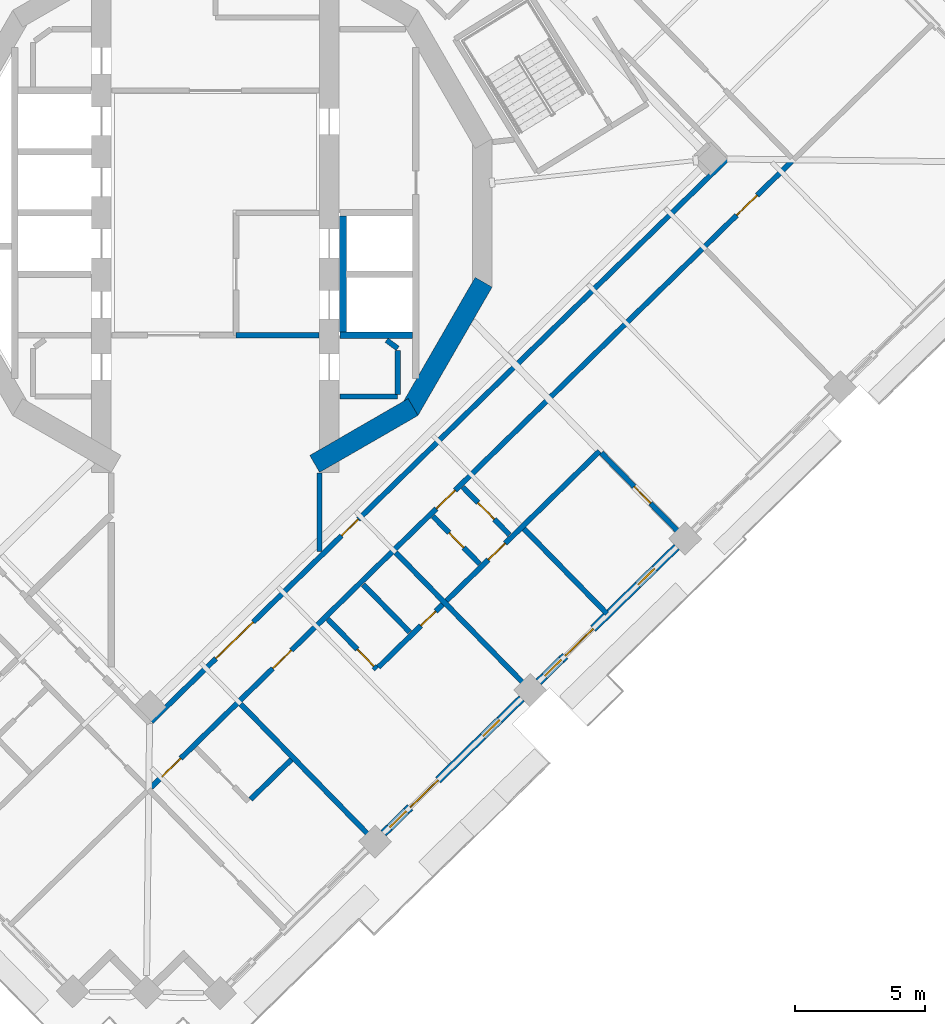
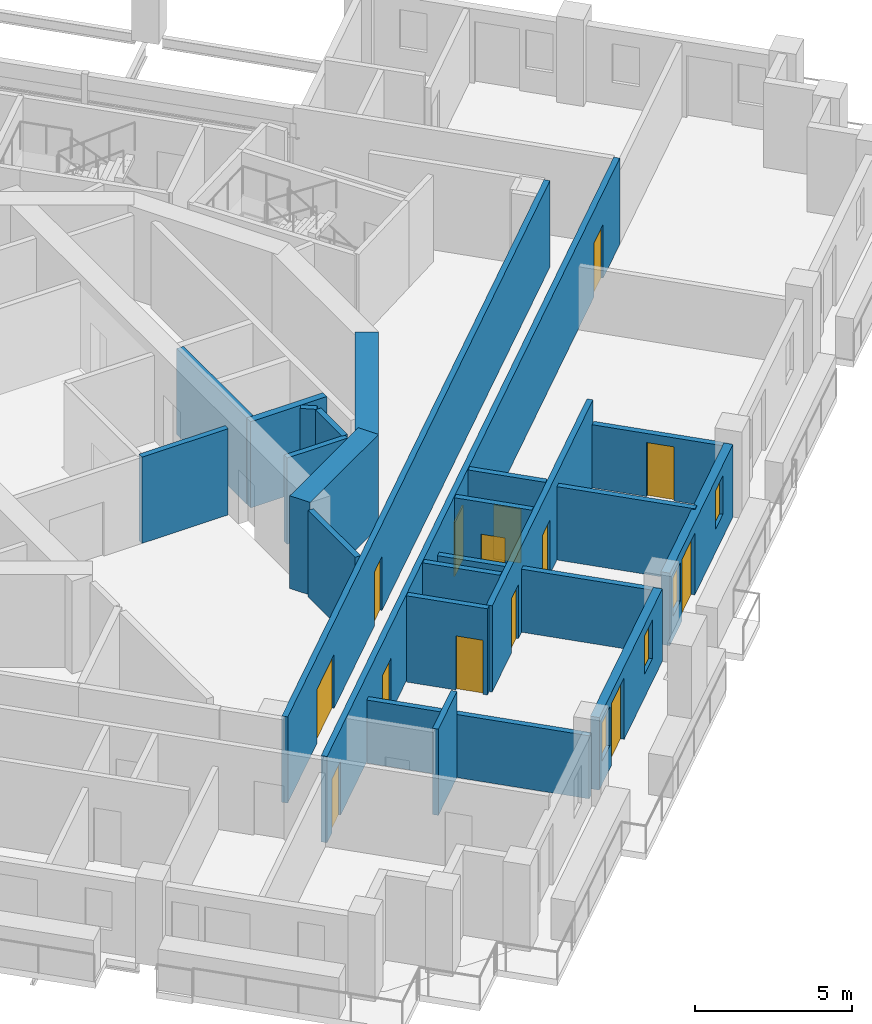
# One storey, part 9 of 20: 23 walls, 14 doors, 4 windows, 18 openings.
"""IFC4 building model written with IfcOpenShell, lengths in metres."""

from ifc_helpers import new_model, si_unit, direction, frame, frame_2d, origin, place, context, subcontext, project, spatial, rectangle, extrude, material, layer, layer_set, type_object, element, fill, save


model = new_model("IFC4")

# Units and contexts
model_context = context("Model", 3, precision=1e-05, world=origin(), true_north=direction((0.0, 1.0)))
body_context = subcontext(model_context, "Body", "Model", "MODEL_VIEW")
ifc_project = project(units=[si_unit("LENGTHUNIT", "METRE"), si_unit("AREAUNIT", "SQUARE_METRE"), si_unit("VOLUMEUNIT", "CUBIC_METRE"), si_unit("PLANEANGLEUNIT", "RADIAN"), si_unit("MASSUNIT", "GRAM", prefix="KILO")], contexts=[model_context])

# Site, building, storey
site_placement = place(None, origin())
site = spatial("IfcSite", under=ifc_project, at=site_placement, CompositionType="ELEMENT")
building_placement = place(site_placement, origin())
building = spatial("IfcBuilding", under=site, at=building_placement, Name="Cantera Rosa Tower", CompositionType="ELEMENT")
storey_placement = place(building_placement, frame((0.0, 0.0, 209.0)))
storey = spatial("IfcBuildingStorey", under=building, at=storey_placement, Name="L44", CompositionType="ELEMENT", Elevation=209.0)

# Wall, openings, doors
ifc_material_1 = material(Name="Gypsum board partition")
ifc_layer_1 = layer(ifc_material_1, 0.199951171875)
ifc_layer_set_1 = layer_set([ifc_layer_1], Name="CORRIDOR WALL 200 H3350")
wall_type_1 = type_object("IfcWallType", Name="CORRIDOR WALL 200 H3350", PredefinedType="PARTITIONING", material=ifc_layer_set_1)
wall_1_placement = place(storey_placement, frame((-2.469970703125, -22.0556640625, 0.0), z_axis=(0.0, 0.0, 1.0), x_axis=(0.715286619748, 0.698831203946, 0.0)))
wall_1 = element("IfcWall", 1, at=wall_1_placement, inside=storey, type_object=wall_type_1, Name="CORRIDOR WALL L44-062", PredefinedType="PARTITIONING", context=body_context, shape_type="SweptSolid", body=[
    extrude(rectangle(XDim=34.47998046875, YDim=0.199951171875, at=frame_2d((17.239990234375, 0.0))), origin(), (0.0, 0.0, 1.0), 3.35009765625),
])
opening_1_placement = place(wall_1_placement, frame((6.534912109375, 0.0, 0.0)))
opening_1 = element("IfcOpeningElement", 2, at=opening_1_placement, cuts=wall_1, Name="Opening L44-045", PredefinedType="OPENING", context=body_context, shape_type="SweptSolid", body=[
    extrude(rectangle(XDim=1.0, YDim=2.10009765625, at=frame_2d((0.5, 1.050048828125))), frame((0.0, 0.10986328125, 0.0), z_axis=(0.0, -1.0, 0.0), x_axis=(1.0, 0.0, 0.0)), (0.0, 0.0, 1.0), 0.219970703125),
])
opening_2_placement = place(wall_1_placement, frame((15.320068359375, 0.0, 0.0)))
opening_2 = element("IfcOpeningElement", 3, at=opening_2_placement, cuts=wall_1, Name="Opening L44-048", PredefinedType="OPENING", context=body_context, shape_type="SweptSolid", body=[
    extrude(rectangle(XDim=1.0, YDim=2.10009765625, at=frame_2d((0.5, 1.050048828125))), frame((0.0, 0.10986328125, 0.0), z_axis=(0.0, -1.0, 0.0), x_axis=(1.0, 0.0, 0.0)), (0.0, 0.0, 1.0), 0.219970703125),
])
opening_3_placement = place(wall_1_placement, frame((0.590087890625, 0.0, 0.0)))
opening_3 = element("IfcOpeningElement", 4, at=opening_3_placement, cuts=wall_1, Name="Opening L44-053", PredefinedType="OPENING", context=body_context, shape_type="SweptSolid", body=[
    extrude(rectangle(XDim=1.0, YDim=2.10009765625, at=frame_2d((0.5, 1.050048828125))), frame((0.0, 0.10986328125, 0.0), z_axis=(0.0, -1.0, 0.0), x_axis=(1.0, 0.0, 0.0)), (0.0, 0.0, 1.0), 0.219970703125),
])
opening_4_placement = place(wall_1_placement, frame((31.429931640625, 0.0, 0.0)))
opening_4 = element("IfcOpeningElement", 5, at=opening_4_placement, cuts=wall_1, Name="Opening L44-056", PredefinedType="OPENING", context=body_context, shape_type="SweptSolid", body=[
    extrude(rectangle(XDim=1.10009765625, YDim=2.10009765625, at=frame_2d((0.550048828125, 1.050048828125))), frame((0.0, 0.10986328125, 0.0), z_axis=(0.0, -1.0, 0.0), x_axis=(1.0, 0.0, 0.0)), (0.0, 0.0, 1.0), 0.219970703125),
])
ifc_material_2 = material(Name="Timber door leaf", Category="wood")
door_type_1 = type_object("IfcDoorType", Name="ENTRANCE DOOR 1000x2100", OperationType="NOTDEFINED", PredefinedType="DOOR", material=ifc_material_2)
door_1_placement = place(opening_1_placement, origin())
door_1 = element("IfcDoor", 6, at=door_1_placement, inside=storey, type_object=door_type_1, Name="DOOR L44-045", OperationType="NOTDEFINED", OverallHeight=2.10009765625, OverallWidth=1.0, PredefinedType="DOOR", context=body_context, shape_type="SweptSolid", body=[
    extrude(rectangle(XDim=1.0, YDim=2.10009765625, at=frame_2d((0.5, 1.050048828125))), frame((0.0, 0.02490234375, 0.0), z_axis=(0.0, -1.0, 0.0), x_axis=(1.0, 0.0, 0.0)), (0.0, 0.0, 1.0), 0.050048828125),
])
fill(opening_1, door_1)
door_2_placement = place(opening_2_placement, origin())
door_2 = element("IfcDoor", 7, at=door_2_placement, inside=storey, type_object=door_type_1, Name="DOOR L44-048", OperationType="NOTDEFINED", OverallHeight=2.10009765625, OverallWidth=1.0, PredefinedType="DOOR", context=body_context, shape_type="SweptSolid", body=[
    extrude(rectangle(XDim=1.0, YDim=2.10009765625, at=frame_2d((0.5, 1.050048828125))), frame((0.0, 0.02490234375, 0.0), z_axis=(0.0, -1.0, 0.0), x_axis=(1.0, 0.0, 0.0)), (0.0, 0.0, 1.0), 0.050048828125),
])
fill(opening_2, door_2)
door_3_placement = place(opening_3_placement, origin())
door_3 = element("IfcDoor", 8, at=door_3_placement, inside=storey, type_object=door_type_1, Name="DOOR L44-053", OperationType="NOTDEFINED", OverallHeight=2.10009765625, OverallWidth=1.0, PredefinedType="DOOR", context=body_context, shape_type="SweptSolid", body=[
    extrude(rectangle(XDim=1.0, YDim=2.10009765625, at=frame_2d((0.5, 1.050048828125))), frame((0.0, 0.02490234375, 0.0), z_axis=(0.0, -1.0, 0.0), x_axis=(1.0, 0.0, 0.0)), (0.0, 0.0, 1.0), 0.050048828125),
])
fill(opening_3, door_3)
ifc_material_3 = material(Name="Timber door leaf", Category="wood")
door_type_2 = type_object("IfcDoorType", Name="ROOM DOOR 1100x2100", OperationType="NOTDEFINED", PredefinedType="DOOR", material=ifc_material_3)
door_4_placement = place(opening_4_placement, origin())
door_4 = element("IfcDoor", 9, at=door_4_placement, inside=storey, type_object=door_type_2, Name="DOOR L44-056", OperationType="NOTDEFINED", OverallHeight=2.10009765625, OverallWidth=1.10009765625, PredefinedType="DOOR", context=body_context, shape_type="SweptSolid", body=[
    extrude(rectangle(XDim=1.10009765625, YDim=2.10009765625, at=frame_2d((0.550048828125, 1.050048828125))), frame((0.0, 0.02490234375, 0.0), z_axis=(0.0, -1.0, 0.0), x_axis=(1.0, 0.0, 0.0)), (0.0, 0.0, 1.0), 0.050048828125),
])
fill(opening_4, door_4)

wall_2_placement = place(storey_placement, frame((-2.45458984375, -19.5244140625, 0.0), z_axis=(0.0, 0.0, 1.0), x_axis=(0.715283867267, 0.698834021229, 0.0)))
wall_2 = element("IfcWall", 10, at=wall_2_placement, inside=storey, type_object=wall_type_1, Name="CORRIDOR WALL L44-063", PredefinedType="PARTITIONING", context=body_context, shape_type="SweptSolid", body=[
    extrude(rectangle(XDim=30.900146484375, YDim=0.199951171875, at=frame_2d((15.4501953125, 0.0))), origin(), (0.0, 0.0, 1.0), 3.35009765625),
])
opening_5_placement = place(wall_2_placement, frame((10.20458984375, 0.0, 0.0)))
opening_5 = element("IfcOpeningElement", 11, at=opening_5_placement, cuts=wall_2, Name="Opening L44-011", PredefinedType="OPENING", context=body_context, shape_type="SweptSolid", body=[
    extrude(rectangle(XDim=0.89990234375, YDim=2.10009765625, at=frame_2d((0.449951171875, 1.050048828125))), frame((0.0, 0.10986328125, 0.0), z_axis=(0.0, -1.0, 0.0), x_axis=(1.0, 0.0, 0.0)), (0.0, 0.0, 1.0), 0.219970703125),
])
opening_6_placement = place(wall_2_placement, frame((3.4619140625, 0.0, 0.0)))
opening_6 = element("IfcOpeningElement", 12, at=opening_6_placement, cuts=wall_2, Name="Opening L44-014", PredefinedType="OPENING", context=body_context, shape_type="SweptSolid", body=[
    extrude(rectangle(XDim=2.0, YDim=2.10009765625, at=frame_2d((1.0, 1.050048828125))), frame((0.0, 0.10986328125, 0.0), z_axis=(0.0, -1.0, 0.0), x_axis=(1.0, 0.0, 0.0)), (0.0, 0.0, 1.0), 0.219970703125),
])
ifc_material_4 = material(Name="Steel S355J2 (EN 10025-2)", Category="steel")
door_type_3 = type_object("IfcDoorType", Name="LOBBY SCREEN DOOR 2000x2100", OperationType="NOTDEFINED", PredefinedType="DOOR", material=ifc_material_4)
door_5_placement = place(opening_6_placement, origin())
door_5 = element("IfcDoor", 13, at=door_5_placement, inside=storey, type_object=door_type_3, Name="DOOR L44-014", OperationType="NOTDEFINED", OverallHeight=2.10009765625, OverallWidth=2.0, PredefinedType="DOOR", context=body_context, shape_type="SweptSolid", body=[
    extrude(rectangle(XDim=2.0, YDim=2.10009765625, at=frame_2d((1.0, 1.050048828125))), frame((0.0, 0.02490234375, 0.0), z_axis=(0.0, -1.0, 0.0), x_axis=(1.0, 0.0, 0.0)), (0.0, 0.0, 1.0), 0.050048828125),
])
fill(opening_6, door_5)
ifc_material_5 = material(Name="Timber door leaf", Category="wood")
door_type_4 = type_object("IfcDoorType", Name="SERVICE DOOR 900x2100", OperationType="NOTDEFINED", PredefinedType="DOOR", material=ifc_material_5)
door_6_placement = place(opening_5_placement, origin())
door_6 = element("IfcDoor", 14, at=door_6_placement, inside=storey, type_object=door_type_4, Name="DOOR L44-011", OperationType="NOTDEFINED", OverallHeight=2.10009765625, OverallWidth=0.89990234375, PredefinedType="DOOR", context=body_context, shape_type="SweptSolid", body=[
    extrude(rectangle(XDim=0.89990234375, YDim=2.10009765625, at=frame_2d((0.449951171875, 1.050048828125))), frame((0.0, 0.02490234375, 0.0), z_axis=(0.0, -1.0, 0.0), x_axis=(1.0, 0.0, 0.0)), (0.0, 0.0, 1.0), 0.050048828125),
])
fill(opening_5, door_6)

# Wall
wall_3_placement = place(storey_placement, frame((4.0, -12.998046875, 0.0), z_axis=(0.0, 0.0, 1.0), x_axis=(0.0, 1.0, 0.0)))
element("IfcWall", 15, at=wall_3_placement, inside=storey, type_object=wall_type_1, Name="CORRIDOR WALL L44-078", PredefinedType="PARTITIONING", context=body_context, shape_type="SweptSolid", body=[
    extrude(rectangle(XDim=3.00390625, YDim=0.199951171875, at=frame_2d((1.501953125, 0.0))), origin(), (0.0, 0.0, 1.0), 3.35009765625),
])

# Wall, openings, windows, door
ifc_material_6 = material(Name="Hollow clay masonry with cantera stone cladding", Category="masonry")
ifc_layer_2 = layer(ifc_material_6, 0.300048828125)
ifc_layer_set_2 = layer_set([ifc_layer_2], Name="EW-LOGGIA 300 H2820")
wall_type_2 = type_object("IfcWallType", Name="EW-LOGGIA 300 H2820", PredefinedType="SOLIDWALL", material=ifc_layer_set_2)
wall_4_placement = place(storey_placement, frame((6.454833984375, -23.8212890625, 0.0), z_axis=(0.0, 0.0, 1.0), x_axis=(0.715300826176, 0.698816662703, 0.0)))
wall_4 = element("IfcWall", 16, at=wall_4_placement, inside=storey, type_object=wall_type_2, Name="EN-L44-W22", PredefinedType="SOLIDWALL", context=body_context, shape_type="SweptSolid", body=[
    extrude(rectangle(XDim=7.420166015625, YDim=0.300048828125, at=frame_2d((3.7099609375, 0.0))), origin(), (0.0, 0.0, 1.0), 2.820068359375),
])
opening_7_placement = place(wall_4_placement, frame((0.330078125, 0.0, 0.89990234375)))
opening_7 = element("IfcOpeningElement", 17, at=opening_7_placement, cuts=wall_4, Name="Opening L44-W40", PredefinedType="OPENING", context=body_context, shape_type="SweptSolid", body=[
    extrude(rectangle(XDim=0.89990234375, YDim=1.5, at=frame_2d((0.449951171875, 0.75))), frame((0.0, 0.159912109375, 0.0), z_axis=(0.0, -1.0, 0.0), x_axis=(1.0, 0.0, 0.0)), (0.0, 0.0, 1.0), 0.320068359375),
])
opening_8_placement = place(wall_4_placement, frame((1.429931640625, 0.0, 0.0)))
opening_8 = element("IfcOpeningElement", 18, at=opening_8_placement, cuts=wall_4, Name="Opening L44-TD41", PredefinedType="OPENING", context=body_context, shape_type="SweptSolid", body=[
    extrude(rectangle(XDim=1.5, YDim=2.39990234375, at=frame_2d((0.75, 1.199951171875))), frame((0.0, 0.159912109375, 0.0), z_axis=(0.0, -1.0, 0.0), x_axis=(1.0, 0.0, 0.0)), (0.0, 0.0, 1.0), 0.320068359375),
])
opening_9_placement = place(wall_4_placement, frame((5.340087890625, 0.0, 0.89990234375)))
opening_9 = element("IfcOpeningElement", 19, at=opening_9_placement, cuts=wall_4, Name="Opening L44-W42", PredefinedType="OPENING", context=body_context, shape_type="SweptSolid", body=[
    extrude(rectangle(XDim=0.89990234375, YDim=1.5, at=frame_2d((0.449951171875, 0.75))), frame((0.0, 0.159912109375, 0.0), z_axis=(0.0, -1.0, 0.0), x_axis=(1.0, 0.0, 0.0)), (0.0, 0.0, 1.0), 0.320068359375),
])
ifc_material_7 = material(Name="Aluminium frame with clear glass", Category="aluminium")
window_type = type_object("IfcWindowType", Name="Residential window 900x1500", PartitioningType="SINGLE_PANEL", PredefinedType="WINDOW", material=ifc_material_7)
window_1_placement = place(opening_7_placement, origin())
window_1 = element("IfcWindow", 20, at=window_1_placement, inside=storey, type_object=window_type, Name="WINDOW L44-W40", OverallHeight=1.5, OverallWidth=0.89990234375, PartitioningType="SINGLE_PANEL", PredefinedType="WINDOW", context=body_context, shape_type="SweptSolid", body=[
    extrude(rectangle(XDim=0.89990234375, YDim=1.5, at=frame_2d((0.449951171875, 0.75))), frame((0.0, 0.030029296875, 0.0), z_axis=(0.0, -1.0, 0.0), x_axis=(1.0, 0.0, 0.0)), (0.0, 0.0, 1.0), 0.06005859375),
])
fill(opening_7, window_1)
window_2_placement = place(opening_9_placement, origin())
window_2 = element("IfcWindow", 21, at=window_2_placement, inside=storey, type_object=window_type, Name="WINDOW L44-W42", OverallHeight=1.5, OverallWidth=0.89990234375, PartitioningType="SINGLE_PANEL", PredefinedType="WINDOW", context=body_context, shape_type="SweptSolid", body=[
    extrude(rectangle(XDim=0.89990234375, YDim=1.5, at=frame_2d((0.449951171875, 0.75))), frame((0.0, 0.030029296875, 0.0), z_axis=(0.0, -1.0, 0.0), x_axis=(1.0, 0.0, 0.0)), (0.0, 0.0, 1.0), 0.06005859375),
])
fill(opening_9, window_2)
ifc_material_8 = material(Name="Aluminium frame with clear glass", Category="aluminium")
door_type_5 = type_object("IfcDoorType", Name="TD-R 1500x2400", OperationType="NOTDEFINED", PredefinedType="DOOR", material=ifc_material_8)
door_7_placement = place(opening_8_placement, origin())
door_7 = element("IfcDoor", 22, at=door_7_placement, inside=storey, type_object=door_type_5, Name="LOGGIA DOOR L44-TD41", OperationType="SLIDING_TO_LEFT", OverallHeight=2.39990234375, OverallWidth=1.5, PredefinedType="DOOR", context=body_context, shape_type="SweptSolid", body=[
    extrude(rectangle(XDim=1.5, YDim=2.39990234375, at=frame_2d((0.75, 1.199951171875))), frame((0.0, 0.02490234375, 0.0), z_axis=(0.0, -1.0, 0.0), x_axis=(1.0, 0.0, 0.0)), (0.0, 0.0, 1.0), 0.050048828125),
])
fill(opening_8, door_7)

wall_5_placement = place(storey_placement, frame((12.406005859375, -18.007080078125, 0.0), z_axis=(0.0, 0.0, 1.0), x_axis=(0.715300826176, 0.698816662703, 0.0)))
wall_5 = element("IfcWall", 23, at=wall_5_placement, inside=storey, type_object=wall_type_2, Name="EN-L44-W23", PredefinedType="SOLIDWALL", context=body_context, shape_type="SweptSolid", body=[
    extrude(rectangle(XDim=7.420166015625, YDim=0.300048828125, at=frame_2d((3.7099609375, 0.0))), origin(), (0.0, 0.0, 1.0), 2.820068359375),
])
opening_10_placement = place(wall_5_placement, frame((0.330078125, 0.0, 0.89990234375)))
opening_10 = element("IfcOpeningElement", 24, at=opening_10_placement, cuts=wall_5, Name="Opening L44-W43", PredefinedType="OPENING", context=body_context, shape_type="SweptSolid", body=[
    extrude(rectangle(XDim=0.89990234375, YDim=1.5, at=frame_2d((0.449951171875, 0.75))), frame((0.0, 0.159912109375, 0.0), z_axis=(0.0, -1.0, 0.0), x_axis=(1.0, 0.0, 0.0)), (0.0, 0.0, 1.0), 0.320068359375),
])
opening_11_placement = place(wall_5_placement, frame((1.429931640625, 0.0, 0.0)))
opening_11 = element("IfcOpeningElement", 25, at=opening_11_placement, cuts=wall_5, Name="Opening L44-TD44", PredefinedType="OPENING", context=body_context, shape_type="SweptSolid", body=[
    extrude(rectangle(XDim=1.5, YDim=2.39990234375, at=frame_2d((0.75, 1.199951171875))), frame((0.0, 0.159912109375, 0.0), z_axis=(0.0, -1.0, 0.0), x_axis=(1.0, 0.0, 0.0)), (0.0, 0.0, 1.0), 0.320068359375),
])
opening_12_placement = place(wall_5_placement, frame((5.340087890625, 0.0, 0.89990234375)))
opening_12 = element("IfcOpeningElement", 26, at=opening_12_placement, cuts=wall_5, Name="Opening L44-W45", PredefinedType="OPENING", context=body_context, shape_type="SweptSolid", body=[
    extrude(rectangle(XDim=0.89990234375, YDim=1.5, at=frame_2d((0.449951171875, 0.75))), frame((0.0, 0.159912109375, 0.0), z_axis=(0.0, -1.0, 0.0), x_axis=(1.0, 0.0, 0.0)), (0.0, 0.0, 1.0), 0.320068359375),
])
window_3_placement = place(opening_10_placement, origin())
window_3 = element("IfcWindow", 27, at=window_3_placement, inside=storey, type_object=window_type, Name="WINDOW L44-W43", OverallHeight=1.5, OverallWidth=0.89990234375, PartitioningType="SINGLE_PANEL", PredefinedType="WINDOW", context=body_context, shape_type="SweptSolid", body=[
    extrude(rectangle(XDim=0.89990234375, YDim=1.5, at=frame_2d((0.449951171875, 0.75))), frame((0.0, 0.030029296875, 0.0), z_axis=(0.0, -1.0, 0.0), x_axis=(1.0, 0.0, 0.0)), (0.0, 0.0, 1.0), 0.06005859375),
])
fill(opening_10, window_3)
window_4_placement = place(opening_12_placement, origin())
window_4 = element("IfcWindow", 28, at=window_4_placement, inside=storey, type_object=window_type, Name="WINDOW L44-W45", OverallHeight=1.5, OverallWidth=0.89990234375, PartitioningType="SINGLE_PANEL", PredefinedType="WINDOW", context=body_context, shape_type="SweptSolid", body=[
    extrude(rectangle(XDim=0.89990234375, YDim=1.5, at=frame_2d((0.449951171875, 0.75))), frame((0.0, 0.030029296875, 0.0), z_axis=(0.0, -1.0, 0.0), x_axis=(1.0, 0.0, 0.0)), (0.0, 0.0, 1.0), 0.06005859375),
])
fill(opening_12, window_4)
door_8_placement = place(opening_11_placement, origin())
door_8 = element("IfcDoor", 29, at=door_8_placement, inside=storey, type_object=door_type_5, Name="LOGGIA DOOR L44-TD44", OperationType="SLIDING_TO_LEFT", OverallHeight=2.39990234375, OverallWidth=1.5, PredefinedType="DOOR", context=body_context, shape_type="SweptSolid", body=[
    extrude(rectangle(XDim=1.5, YDim=2.39990234375, at=frame_2d((0.75, 1.199951171875))), frame((0.0, 0.02490234375, 0.0), z_axis=(0.0, -1.0, 0.0), x_axis=(1.0, 0.0, 0.0)), (0.0, 0.0, 1.0), 0.050048828125),
])
fill(opening_11, door_8)

# Wall, opening, door
ifc_material_9 = material(Name="Gypsum board partition")
ifc_layer_3 = layer(ifc_material_9, 0.199951171875)
ifc_layer_set_3 = layer_set([ifc_layer_3], Name="PARTITION 200 H2450")
wall_type_3 = type_object("IfcWallType", Name="PARTITION 200 H2450", PredefinedType="PARTITIONING", material=ifc_layer_set_3)
wall_6_placement = place(storey_placement, frame((14.82080078125, -9.217041015625, 0.0), z_axis=(0.0, 0.0, 1.0), x_axis=(0.698831711541, -0.71528612383, 0.0)))
wall_6 = element("IfcWall", 30, at=wall_6_placement, inside=storey, type_object=wall_type_3, Name="PARTITION L44-113", PredefinedType="PARTITIONING", context=body_context, shape_type="SweptSolid", body=[
    extrude(rectangle(XDim=4.56982421875, YDim=0.199951171875, at=frame_2d((2.284912109375, 0.0))), origin(), (0.0, 0.0, 1.0), 2.449951171875),
])
opening_13_placement = place(wall_6_placement, frame((1.800048828125, 0.0, 0.0)))
opening_13 = element("IfcOpeningElement", 31, at=opening_13_placement, cuts=wall_6, Name="Opening L44-052", PredefinedType="OPENING", context=body_context, shape_type="SweptSolid", body=[
    extrude(rectangle(XDim=0.89990234375, YDim=2.10009765625, at=frame_2d((0.449951171875, 1.050048828125))), frame((0.0, 0.10986328125, 0.0), z_axis=(0.0, -1.0, 0.0), x_axis=(1.0, 0.0, 0.0)), (0.0, 0.0, 1.0), 0.219970703125),
])
ifc_material_10 = material(Name="Timber door leaf", Category="wood")
door_type_6 = type_object("IfcDoorType", Name="ROOM DOOR 900x2100", OperationType="NOTDEFINED", PredefinedType="DOOR", material=ifc_material_10)
door_9_placement = place(opening_13_placement, origin())
door_9 = element("IfcDoor", 32, at=door_9_placement, inside=storey, type_object=door_type_6, Name="DOOR L44-052", OperationType="NOTDEFINED", OverallHeight=2.10009765625, OverallWidth=0.89990234375, PredefinedType="DOOR", context=body_context, shape_type="SweptSolid", body=[
    extrude(rectangle(XDim=0.89990234375, YDim=2.10009765625, at=frame_2d((0.449951171875, 1.050048828125))), frame((0.0, 0.02490234375, 0.0), z_axis=(0.0, -1.0, 0.0), x_axis=(1.0, 0.0, 0.0)), (0.0, 0.0, 1.0), 0.050048828125),
])
fill(opening_13, door_9)

# Walls
ifc_material_11 = material(Name="Gypsum board partition")
ifc_layer_4 = layer(ifc_material_11, 0.199951171875)
ifc_layer_set_4 = layer_set([ifc_layer_4], Name="PARTITION 200 H2850")
wall_type_4 = type_object("IfcWallType", Name="PARTITION 200 H2850", PredefinedType="PARTITIONING", material=ifc_layer_set_4)
wall_7_placement = place(storey_placement, frame((11.84521484375, -12.1240234375, 0.0), z_axis=(0.0, 0.0, 1.0), x_axis=(0.698805007599, -0.715312212502, 0.0)))
element("IfcWall", 33, at=wall_7_placement, inside=storey, type_object=wall_type_4, Name="PARTITION L44-107", PredefinedType="PARTITIONING", context=body_context, shape_type="SweptSolid", body=[
    extrude(rectangle(XDim=4.570068359375, YDim=0.199951171875, at=frame_2d((2.28515625, 0.0))), origin(), (0.0, 0.0, 1.0), 2.85009765625),
])
ifc_material_12 = material(Name="Gypsum board partition")
ifc_layer_5 = layer(ifc_material_12, 0.199951171875)
ifc_layer_set_5 = layer_set([ifc_layer_5], Name="PARTITION 200 H3350")
wall_type_5 = type_object("IfcWallType", Name="PARTITION 200 H3350", PredefinedType="PARTITIONING", material=ifc_layer_set_5)
wall_8_placement = place(storey_placement, frame((2.916748046875, -20.98681640625, 0.0), z_axis=(0.0, 0.0, 1.0), x_axis=(-0.715234272025, -0.69888478029, 0.0)))
element("IfcWall", 34, at=wall_8_placement, inside=storey, type_object=wall_type_5, Name="PARTITION L44-076", PredefinedType="PARTITIONING", context=body_context, shape_type="SweptSolid", body=[
    extrude(rectangle(XDim=2.18017578125, YDim=0.199951171875, at=frame_2d((1.090087890625, 0.0))), origin(), (0.0, 0.0, 1.0), 3.35009765625),
])

# Wall, opening, door
wall_9_placement = place(storey_placement, frame((6.18896484375, -17.510498046875, 0.0), z_axis=(0.0, 0.0, 1.0), x_axis=(-0.698814330011, 0.715303105104, 0.0)))
wall_9 = element("IfcWall", 35, at=wall_9_placement, inside=storey, type_object=wall_type_5, Name="PARTITION L44-087", PredefinedType="PARTITIONING", context=body_context, shape_type="SweptSolid", body=[
    extrude(rectangle(XDim=2.679931640625, YDim=0.199951171875, at=frame_2d((1.33984375, 0.0))), origin(), (0.0, 0.0, 1.0), 3.35009765625),
])
opening_14_placement = place(wall_9_placement, frame((0.14990234375, 0.0, 0.0)))
opening_14 = element("IfcOpeningElement", 36, at=opening_14_placement, cuts=wall_9, Name="Opening L44-047", PredefinedType="OPENING", context=body_context, shape_type="SweptSolid", body=[
    extrude(rectangle(XDim=0.89990234375, YDim=2.10009765625, at=frame_2d((0.449951171875, 1.050048828125))), frame((0.0, 0.10986328125, 0.0), z_axis=(0.0, -1.0, 0.0), x_axis=(1.0, 0.0, 0.0)), (0.0, 0.0, 1.0), 0.219970703125),
])
door_10_placement = place(opening_14_placement, origin())
door_10 = element("IfcDoor", 37, at=door_10_placement, inside=storey, type_object=door_type_6, Name="DOOR L44-047", OperationType="NOTDEFINED", OverallHeight=2.10009765625, OverallWidth=0.89990234375, PredefinedType="DOOR", context=body_context, shape_type="SweptSolid", body=[
    extrude(rectangle(XDim=0.89990234375, YDim=2.10009765625, at=frame_2d((0.449951171875, 1.050048828125))), frame((0.0, 0.02490234375, 0.0), z_axis=(0.0, -1.0, 0.0), x_axis=(1.0, 0.0, 0.0)), (0.0, 0.0, 1.0), 0.050048828125),
])
fill(opening_14, door_10)

# Walls
wall_10_placement = place(storey_placement, frame((6.572509765625, -4.888427734375, 0.0), z_axis=(0.0, 0.0, 1.0), x_axis=(0.808176867567, -0.588939853236, 0.0)))
element("IfcWall", 38, at=wall_10_placement, inside=storey, type_object=wall_type_5, Name="PARTITION L44-088", PredefinedType="PARTITIONING", context=body_context, shape_type="SweptSolid", body=[
    extrude(rectangle(XDim=0.529052734375, YDim=0.199951171875, at=frame_2d((0.2646484375, 0.0))), origin(), (0.0, 0.0, 1.0), 3.35009765625),
])
wall_11_placement = place(storey_placement, frame((7.0, -7.050048828125, 0.0), z_axis=(0.0, 0.0, 1.0), x_axis=(-1.0, 0.0, 0.0)))
element("IfcWall", 39, at=wall_11_placement, inside=storey, type_object=wall_type_5, Name="PARTITION L44-091", PredefinedType="PARTITIONING", context=body_context, shape_type="SweptSolid", body=[
    extrude(rectangle(XDim=2.219970703125, YDim=0.199951171875, at=frame_2d((1.10986328125, 0.0))), origin(), (0.0, 0.0, 1.0), 3.35009765625),
])
wall_12_placement = place(storey_placement, frame((7.0, -5.280029296875, 0.0), z_axis=(0.0, 0.0, 1.0), x_axis=(0.0, -1.0, 0.0)))
element("IfcWall", 40, at=wall_12_placement, inside=storey, type_object=wall_type_5, Name="PARTITION L44-092", PredefinedType="PARTITIONING", context=body_context, shape_type="SweptSolid", body=[
    extrude(rectangle(XDim=1.68994140625, YDim=0.199951171875, at=frame_2d((0.844970703125, 0.0))), origin(), (0.0, 0.0, 1.0), 3.35009765625),
])
wall_13_placement = place(storey_placement, frame((7.464111328125, -16.0966796875, 0.0), z_axis=(0.0, 0.0, 1.0), x_axis=(-0.698857556493, 0.715260872502, 0.0)))
element("IfcWall", 41, at=wall_13_placement, inside=storey, type_object=wall_type_5, Name="PARTITION L44-095", PredefinedType="PARTITIONING", context=body_context, shape_type="SweptSolid", body=[
    extrude(rectangle(XDim=2.56005859375, YDim=0.199951171875, at=frame_2d((1.280029296875, 0.0))), origin(), (0.0, 0.0, 1.0), 3.35009765625),
])

# Wall, opening, door
wall_14_placement = place(storey_placement, frame((8.357421875, -11.64501953125, 0.0), z_axis=(0.0, 0.0, 1.0), x_axis=(0.698809886965, -0.715307445705, 0.0)))
wall_14 = element("IfcWall", 42, at=wall_14_placement, inside=storey, type_object=wall_type_5, Name="PARTITION L44-099", PredefinedType="PARTITIONING", context=body_context, shape_type="SweptSolid", body=[
    extrude(rectangle(XDim=2.56005859375, YDim=0.199951171875, at=frame_2d((1.280029296875, 0.0))), origin(), (0.0, 0.0, 1.0), 3.35009765625),
])
opening_15_placement = place(wall_14_placement, frame((0.8798828125, 0.0, 0.0)))
opening_15 = element("IfcOpeningElement", 43, at=opening_15_placement, cuts=wall_14, Name="Opening L44-049", PredefinedType="OPENING", context=body_context, shape_type="SweptSolid", body=[
    extrude(rectangle(XDim=0.800048828125, YDim=2.10009765625, at=frame_2d((0.39990234375, 1.050048828125))), frame((0.0, 0.10986328125, 0.0), z_axis=(0.0, -1.0, 0.0), x_axis=(1.0, 0.0, 0.0)), (0.0, 0.0, 1.0), 0.219970703125),
])
ifc_material_13 = material(Name="Timber door leaf", Category="wood")
door_type_7 = type_object("IfcDoorType", Name="BATHROOM DOOR 800x2100", OperationType="NOTDEFINED", PredefinedType="DOOR", material=ifc_material_13)
door_11_placement = place(opening_15_placement, origin())
door_11 = element("IfcDoor", 44, at=door_11_placement, inside=storey, type_object=door_type_7, Name="DOOR L44-049", OperationType="NOTDEFINED", OverallHeight=2.10009765625, OverallWidth=0.800048828125, PredefinedType="DOOR", context=body_context, shape_type="SweptSolid", body=[
    extrude(rectangle(XDim=0.800048828125, YDim=2.10009765625, at=frame_2d((0.39990234375, 1.050048828125))), frame((0.0, 0.02490234375, 0.0), z_axis=(0.0, -1.0, 0.0), x_axis=(1.0, 0.0, 0.0)), (0.0, 0.0, 1.0), 0.050048828125),
])
fill(opening_15, door_11)

wall_15_placement = place(storey_placement, frame((9.501953125, -10.527099609375, 0.0), z_axis=(0.0, 0.0, 1.0), x_axis=(0.698857556493, -0.715260872502, 0.0)))
wall_15 = element("IfcWall", 45, at=wall_15_placement, inside=storey, type_object=wall_type_5, Name="PARTITION L44-102", PredefinedType="PARTITIONING", context=body_context, shape_type="SweptSolid", body=[
    extrude(rectangle(XDim=2.56005859375, YDim=0.199951171875, at=frame_2d((1.280029296875, 0.0))), origin(), (0.0, 0.0, 1.0), 3.35009765625),
])
opening_16_placement = place(wall_15_placement, frame((0.830078125, 0.0, 0.0)))
opening_16 = element("IfcOpeningElement", 46, at=opening_16_placement, cuts=wall_15, Name="Opening L44-050", PredefinedType="OPENING", context=body_context, shape_type="SweptSolid", body=[
    extrude(rectangle(XDim=0.89990234375, YDim=2.10009765625, at=frame_2d((0.449951171875, 1.050048828125))), frame((0.0, 0.10986328125, 0.0), z_axis=(0.0, -1.0, 0.0), x_axis=(1.0, 0.0, 0.0)), (0.0, 0.0, 1.0), 0.219970703125),
])
door_12_placement = place(opening_16_placement, origin())
door_12 = element("IfcDoor", 47, at=door_12_placement, inside=storey, type_object=door_type_6, Name="DOOR L44-050", OperationType="NOTDEFINED", OverallHeight=2.10009765625, OverallWidth=0.89990234375, PredefinedType="DOOR", context=body_context, shape_type="SweptSolid", body=[
    extrude(rectangle(XDim=0.89990234375, YDim=2.10009765625, at=frame_2d((0.449951171875, 1.050048828125))), frame((0.0, 0.02490234375, 0.0), z_axis=(0.0, -1.0, 0.0), x_axis=(1.0, 0.0, 0.0)), (0.0, 0.0, 1.0), 0.050048828125),
])
fill(opening_16, door_12)

# Wall, openings, doors
wall_16_placement = place(storey_placement, frame((14.7509765625, -9.1455078125, 0.0), z_axis=(0.0, 0.0, 1.0), x_axis=(-0.715286034757, -0.698831802712, 0.0)))
wall_16 = element("IfcWall", 48, at=wall_16_placement, inside=storey, type_object=wall_type_5, Name="PARTITION L44-112", PredefinedType="PARTITIONING", context=body_context, shape_type="SweptSolid", body=[
    extrude(rectangle(XDim=11.8701171875, YDim=0.199951171875, at=frame_2d((5.93505859375, 0.0))), origin(), (0.0, 0.0, 1.0), 3.35009765625),
])
opening_17_placement = place(wall_16_placement, frame((8.794921875, 0.0, 0.0)))
opening_17 = element("IfcOpeningElement", 49, at=opening_17_placement, cuts=wall_16, Name="Opening L44-046", PredefinedType="OPENING", context=body_context, shape_type="SweptSolid", body=[
    extrude(rectangle(XDim=0.800048828125, YDim=2.10009765625, at=frame_2d((0.39990234375, 1.050048828125))), frame((0.0, 0.10986328125, 0.0), z_axis=(0.0, -1.0, 0.0), x_axis=(1.0, 0.0, 0.0)), (0.0, 0.0, 1.0), 0.219970703125),
])
opening_18_placement = place(wall_16_placement, frame((5.070068359375, 0.0, 0.0)))
opening_18 = element("IfcOpeningElement", 50, at=opening_18_placement, cuts=wall_16, Name="Opening L44-051", PredefinedType="OPENING", context=body_context, shape_type="SweptSolid", body=[
    extrude(rectangle(XDim=0.89990234375, YDim=2.10009765625, at=frame_2d((0.449951171875, 1.050048828125))), frame((0.0, 0.10986328125, 0.0), z_axis=(0.0, -1.0, 0.0), x_axis=(1.0, 0.0, 0.0)), (0.0, 0.0, 1.0), 0.219970703125),
])
door_13_placement = place(opening_17_placement, origin())
door_13 = element("IfcDoor", 51, at=door_13_placement, inside=storey, type_object=door_type_7, Name="DOOR L44-046", OperationType="NOTDEFINED", OverallHeight=2.10009765625, OverallWidth=0.800048828125, PredefinedType="DOOR", context=body_context, shape_type="SweptSolid", body=[
    extrude(rectangle(XDim=0.800048828125, YDim=2.10009765625, at=frame_2d((0.39990234375, 1.050048828125))), frame((0.0, 0.02490234375, 0.0), z_axis=(0.0, -1.0, 0.0), x_axis=(1.0, 0.0, 0.0)), (0.0, 0.0, 1.0), 0.050048828125),
])
fill(opening_17, door_13)
door_14_placement = place(opening_18_placement, origin())
door_14 = element("IfcDoor", 52, at=door_14_placement, inside=storey, type_object=door_type_6, Name="DOOR L44-051", OperationType="NOTDEFINED", OverallHeight=2.10009765625, OverallWidth=0.89990234375, PredefinedType="DOOR", context=body_context, shape_type="SweptSolid", body=[
    extrude(rectangle(XDim=0.89990234375, YDim=2.10009765625, at=frame_2d((0.449951171875, 1.050048828125))), frame((0.0, 0.02490234375, 0.0), z_axis=(0.0, -1.0, 0.0), x_axis=(1.0, 0.0, 0.0)), (0.0, 0.0, 1.0), 0.050048828125),
])
fill(opening_18, door_14)

# Walls
ifc_material_14 = material(Name="Gypsum board partition")
ifc_layer_6 = layer(ifc_material_14, 0.199951171875)
ifc_layer_set_6 = layer_set([ifc_layer_6], Name="PARTY WALL 200 H2450")
wall_type_6 = type_object("IfcWallType", Name="PARTY WALL 200 H2450", PredefinedType="PARTITIONING", material=ifc_layer_set_6)
wall_17_placement = place(storey_placement, frame((6.112060546875, -24.114501953125, 0.0), z_axis=(0.0, 0.0, 1.0), x_axis=(-0.698821349183, 0.715296247667, 0.0)))
element("IfcWall", 53, at=wall_17_placement, inside=storey, type_object=wall_type_6, Name="PARTY WALL L44-086", PredefinedType="PARTITIONING", context=body_context, shape_type="SweptSolid", body=[
    extrude(rectangle(XDim=7.35009765625, YDim=0.199951171875, at=frame_2d((3.675048828125, 0.0))), origin(), (0.0, 0.0, 1.0), 2.449951171875),
])
wall_18_placement = place(storey_placement, frame((6.927001953125, -13.042724609375, 0.0), z_axis=(0.0, 0.0, 1.0), x_axis=(0.698820957739, -0.715296630095, 0.0)))
element("IfcWall", 54, at=wall_18_placement, inside=storey, type_object=wall_type_6, Name="PARTY WALL L44-089", PredefinedType="PARTITIONING", context=body_context, shape_type="SweptSolid", body=[
    extrude(rectangle(XDim=7.349853515625, YDim=0.199951171875, at=frame_2d((3.6748046875, 0.0))), origin(), (0.0, 0.0, 1.0), 2.449951171875),
])
ifc_material_15 = material(Name="Concrete C60/75", Category="concrete")
ifc_layer_7 = layer(ifc_material_15, 0.75)
ifc_layer_set_7 = layer_set([ifc_layer_7], Name="RC CORE WALL 750 C60/75")
wall_type_7 = type_object("IfcWallType", Name="RC CORE WALL 750 C60/75", PredefinedType="SHEAR", material=ifc_layer_set_7)
wall_19_placement = place(storey_placement, frame((10.300537109375, -2.659423828125, 0.0), z_axis=(0.0, 0.0, 1.0), x_axis=(-0.500021842983, -0.866012792365, 0.0)))
element("IfcWall", 55, at=wall_19_placement, inside=storey, type_object=wall_type_7, Name="CW-E4 L44", PredefinedType="SHEAR", context=body_context, shape_type="SweptSolid", body=[
    extrude(rectangle(XDim=5.694091796875, YDim=0.75, at=frame_2d((2.84716796875, 0.0))), origin(), (0.0, 0.0, 1.0), 3.60009765625),
])
wall_20_placement = place(storey_placement, frame((7.590576171875, -7.453369140625, 0.0), z_axis=(0.0, 0.0, 1.0), x_axis=(-0.866013176292, -0.50002117804, 0.0)))
element("IfcWall", 56, at=wall_20_placement, inside=storey, type_object=wall_type_7, Name="CW-E5 L44", PredefinedType="SHEAR", context=body_context, shape_type="SweptSolid", body=[
    extrude(rectangle(XDim=4.362548828125, YDim=0.75, at=frame_2d((2.18115234375, 0.0))), origin(), (0.0, 0.0, 1.0), 3.60009765625),
])
ifc_material_16 = material(Name="Masonry blockwork", Category="masonry")
ifc_layer_8 = layer(ifc_material_16, 0.25)
ifc_layer_set_8 = layer_set([ifc_layer_8], Name="SHAFT WALL 250 H3350")
wall_type_8 = type_object("IfcWallType", Name="SHAFT WALL 250 H3350", PredefinedType="SOLIDWALL", material=ifc_layer_set_8)
wall_21_placement = place(storey_placement, frame((4.89990234375, -0.125, 0.0), z_axis=(0.0, 0.0, 1.0), x_axis=(0.0, -1.0, 0.0)))
element("IfcWall", 57, at=wall_21_placement, inside=storey, type_object=wall_type_8, Name="SHAFT WALL L44-085", PredefinedType="SOLIDWALL", context=body_context, shape_type="SweptSolid", body=[
    extrude(rectangle(XDim=4.449951171875, YDim=0.25, at=frame_2d((2.22509765625, 0.0))), origin(), (0.0, 0.0, 1.0), 3.35009765625),
])
wall_22_placement = place(storey_placement, frame((7.574951171875, -4.699951171875, 0.0), z_axis=(0.0, 0.0, 1.0), x_axis=(-1.0, 0.0, 0.0)))
element("IfcWall", 58, at=wall_22_placement, inside=storey, type_object=wall_type_8, Name="SHAFT WALL L44-097", PredefinedType="SOLIDWALL", context=body_context, shape_type="SweptSolid", body=[
    extrude(rectangle(XDim=2.794921875, YDim=0.25, at=frame_2d((1.3974609375, 0.0))), origin(), (0.0, 0.0, 1.0), 3.35009765625),
])
ifc_material_17 = material(Name="Concrete C50/60", Category="concrete")
ifc_layer_9 = layer(ifc_material_17, 0.199951171875)
ifc_layer_set_9 = layer_set([ifc_layer_9], Name="STAIR WALL 200 H3350")
wall_type_9 = type_object("IfcWallType", Name="STAIR WALL 200 H3350", PredefinedType="SOLIDWALL", material=ifc_layer_set_9)
wall_23_placement = place(storey_placement, frame((3.969970703125, -4.699951171875, 0.0), z_axis=(0.0, 0.0, 1.0), x_axis=(-1.0, 0.0, 0.0)))
element("IfcWall", 59, at=wall_23_placement, inside=storey, type_object=wall_type_9, Name="STAIR WALL L44-077", PredefinedType="SOLIDWALL", context=body_context, shape_type="SweptSolid", body=[
    extrude(rectangle(XDim=3.169921875, YDim=0.199951171875, at=frame_2d((1.5849609375, 0.0))), origin(), (0.0, 0.0, 1.0), 3.35009765625),
])

save(model, "model.ifc")
